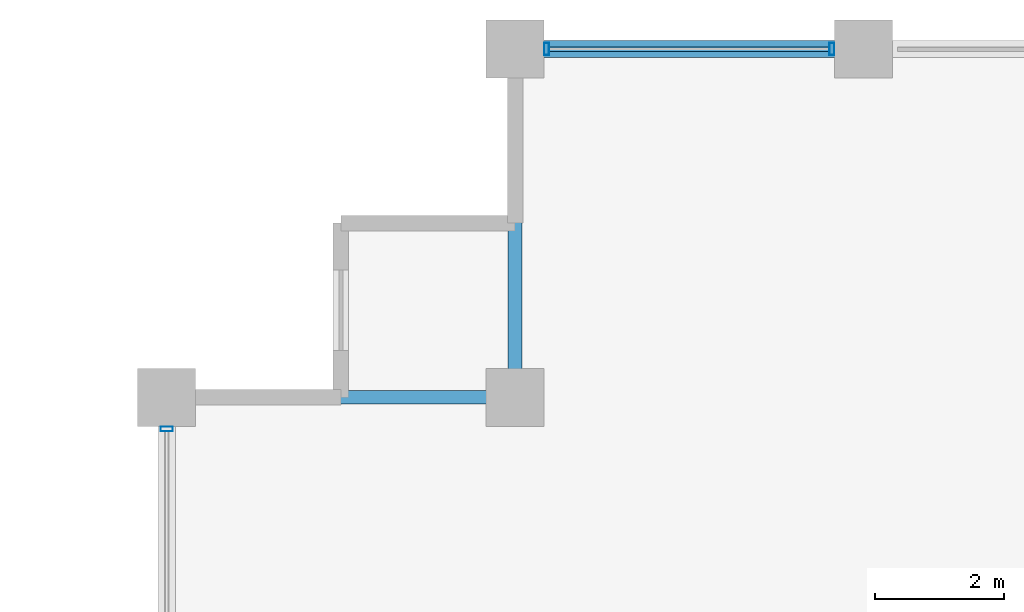
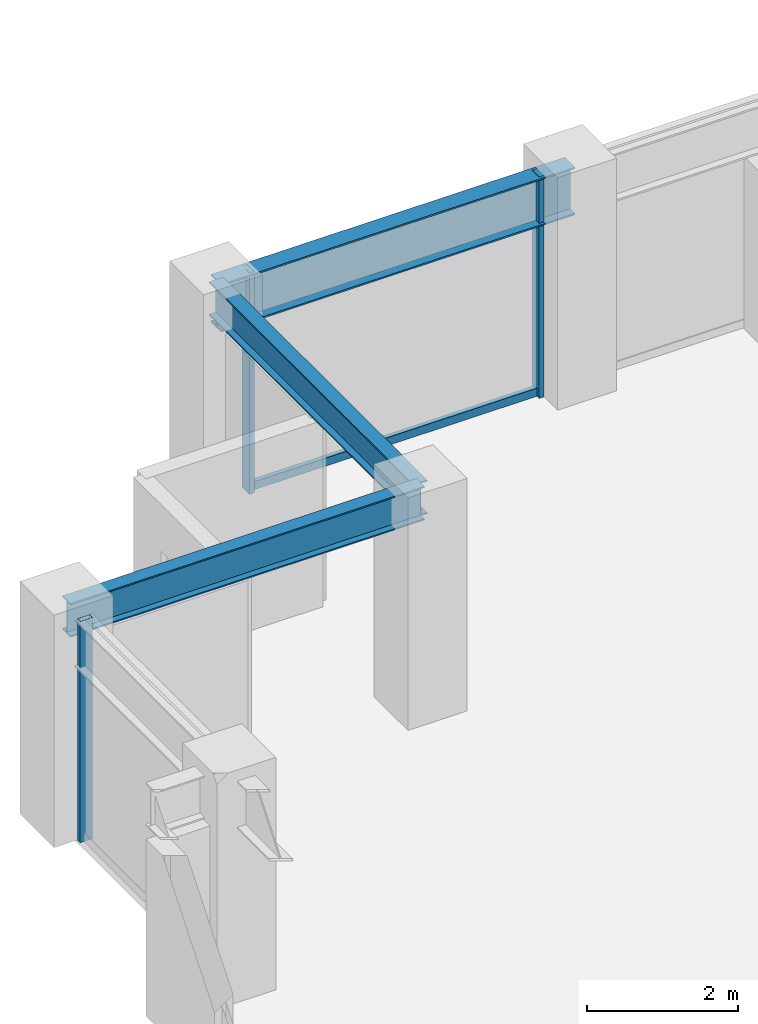
# One storey, part 15 of 28: 4 members, 3 beams, 2 elements without a shape of their own.
"""IFC4 building model written with IfcOpenShell, lengths in metres."""

from ifc_helpers import new_model, si_unit, direction, frame, origin, origin_2d, place, context, subcontext, project, spatial, hollow_rectangle, i_section, extrude, material, layer, layer_set, material_profile, profile_set, type_object, element, aggregate, save


model = new_model("IFC4")

# Units and contexts
model_context = context("Model", 3, precision=1e-05, world=origin(), true_north=direction((0.0, 1.0)))
body_context = subcontext(model_context, "Body", "Model", "MODEL_VIEW")
ifc_project = project(units=[si_unit("LENGTHUNIT", "METRE"), si_unit("AREAUNIT", "SQUARE_METRE"), si_unit("VOLUMEUNIT", "CUBIC_METRE"), si_unit("PLANEANGLEUNIT", "RADIAN"), si_unit("MASSUNIT", "GRAM", prefix="KILO")], contexts=[model_context])

# Site, building, storey
site_placement = place(None, origin())
site = spatial("IfcSite", under=ifc_project, at=site_placement, CompositionType="ELEMENT")
building_placement = place(site_placement, origin())
building = spatial("IfcBuilding", under=site, at=building_placement, Name="Surkhivell Harbour Commons", CompositionType="ELEMENT")
storey_placement = place(building_placement, frame((0.0, 0.0, 182.25)))
storey = spatial("IfcBuildingStorey", under=building, at=storey_placement, Name="L47", CompositionType="ELEMENT", Elevation=182.25)

# Beams
ifc_material_1 = material(Name="Steel S355", Category="steel")
ifc_material_profile_1 = material_profile(ifc_material_1, i_section(OverallWidth=0.2119140625, OverallDepth=0.5439453125, WebThickness=0.0126953125, FlangeThickness=0.021240234375, at=origin_2d()), Name="UB533x210x122")
ifc_profile_set_1 = profile_set([ifc_material_profile_1], Name="Steel S355")
beam_type_1 = type_object("IfcBeamType", Name="BM-GRD-533A", PredefinedType="BEAM", material=ifc_profile_set_1)
for number, where, z_axis, x_axis, name in (
    (1, (-27.0, 20.5, 3.298095703125), (1.0, 0.0, 0.0), (0.0, 1.0, 0.0), "L47 Floor Girder (-27.0,20.5)"),
    (2, (-21.60009765625, 20.5, 3.298095703125), (0.0, 1.0, 0.0), (-1.0, 0.0, 0.0), "L47 Floor Girder (-21.6,20.5)"),
):
    element("IfcBeam", number, at=place(storey_placement, frame(where, z_axis=z_axis, x_axis=x_axis)), inside=storey, type_object=beam_type_1, Name=name, PredefinedType="BEAM", context=body_context, shape_type="SweptSolid", body=[
        extrude(i_section(OverallWidth=0.2119140625, OverallDepth=0.5439453125, WebThickness=0.0126953125, FlangeThickness=0.021240234375, at=origin_2d()), origin(), (0.0, 0.0, 1.0), 5.39990234375),
    ])
ifc_material_profile_2 = material_profile(ifc_material_1, i_section(OverallWidth=0.26806640625, OverallDepth=0.77001953125, WebThickness=0.015625, FlangeThickness=0.025390625, at=origin_2d()), Name="UB762x267x197")
ifc_profile_set_2 = profile_set([ifc_material_profile_2], Name="Steel S355")
beam_type_2 = type_object("IfcBeamType", Name="BM-SPN-762", PredefinedType="SPANDREL", material=ifc_profile_set_2)
beam_placement = place(storey_placement, frame((-21.60009765625, 25.89990234375, 3.18505859375), z_axis=(1.0, 0.0, 0.0), x_axis=(0.0, 1.0, 0.0)))
element("IfcBeam", 3, at=beam_placement, inside=storey, type_object=beam_type_2, Name="L47 Tube Spandrel (-21.6,25.9)", PredefinedType="SPANDREL", context=body_context, shape_type="SweptSolid", body=[
    extrude(i_section(OverallWidth=0.26806640625, OverallDepth=0.77001953125, WebThickness=0.015625, FlangeThickness=0.025390625, at=origin_2d()), origin(), (0.0, 0.0, 1.0), 5.400146484375),
])

# Curtain wall, members
ifc_material_2 = material(Name="Anodised pale-metal aluminium and insulated glazing", Category="aluminium")
ifc_layer = layer(ifc_material_2, 0.18994140625)
ifc_layer_set = layer_set([ifc_layer], Name="Anodised pale-metal aluminium and insulated glazing")
curtain_wall_type = type_object("IfcCurtainWallType", Name="CW-SYS-Z3", PredefinedType="NOTDEFINED", material=ifc_layer_set)
curtain_wall_1_placement = place(storey_placement, origin())
curtain_wall_1 = element("IfcCurtainWall", 4, at=curtain_wall_1_placement, inside=storey, type_object=curtain_wall_type, Name="L47 Curtain Wall CW-L47-E07S2", PredefinedType="NOTDEFINED")
ifc_material_3 = material(Name="Anodised pale-metal aluminium alloy 6063-T6", Category="aluminium")
ifc_material_profile_3 = material_profile(ifc_material_3, hollow_rectangle(XDim=0.074951171875, YDim=0.18994140625, WallThickness=0.00390625, at=origin_2d()), Name="ALU-MULL-75x190")
ifc_profile_set_3 = profile_set([ifc_material_profile_3], Name="Anodised pale-metal aluminium alloy 6063-T6")
member_type_1 = type_object("IfcMemberType", Name="CWM-190", PredefinedType="MULLION", material=ifc_profile_set_3)
member_1_placement = place(storey_placement, frame((-16.689453125, 25.89990234375, 0.0), z_axis=(0.0, 0.0, 1.0), x_axis=(-1.0, 0.0, 0.0)))
member_1 = element("IfcMember", 5, at=member_1_placement, type_object=member_type_1, Name="CW-Z3 mullion 3", PredefinedType="MULLION", context=body_context, shape_type="SweptSolid", body=[
    extrude(hollow_rectangle(XDim=0.074951171875, YDim=0.18994140625, WallThickness=0.00390625, at=origin_2d()), origin(), (0.0, 0.0, 1.0), 3.570068359375),
])
member_2_placement = place(storey_placement, frame((-21.110595703125, 25.89990234375, 0.0), z_axis=(0.0, 0.0, 1.0), x_axis=(-1.0, 0.0, 0.0)))
member_2 = element("IfcMember", 6, at=member_2_placement, type_object=member_type_1, Name="CW-Z3 mullion 4", PredefinedType="MULLION", context=body_context, shape_type="SweptSolid", body=[
    extrude(hollow_rectangle(XDim=0.074951171875, YDim=0.18994140625, WallThickness=0.00390625, at=origin_2d()), origin(), (0.0, 0.0, 1.0), 3.570068359375),
])

# Curtain wall, member
curtain_wall_2_placement = place(storey_placement, origin())
curtain_wall_2 = element("IfcCurtainWall", 7, at=curtain_wall_2_placement, inside=storey, type_object=curtain_wall_type, Name="L47 Curtain Wall CW-L47-E12R2", PredefinedType="NOTDEFINED")
member_3_placement = place(storey_placement, frame((-27.0, 20.010498046875, 0.0), z_axis=(0.0, 0.0, 1.0), x_axis=(0.0, 1.0, 0.0)))
member_3 = element("IfcMember", 8, at=member_3_placement, type_object=member_type_1, Name="CW-Z3 mullion 2", PredefinedType="MULLION", context=body_context, shape_type="SweptSolid", body=[
    extrude(hollow_rectangle(XDim=0.074951171875, YDim=0.18994140625, WallThickness=0.00390625, at=origin_2d()), origin(), (0.0, 0.0, 1.0), 3.570068359375),
])
aggregate(curtain_wall_2, [member_3])

# Member
ifc_material_4 = material(Name="Champagne anodised aluminium alloy 6063-T6", Category="aluminium")
ifc_material_profile_4 = material_profile(ifc_material_4, hollow_rectangle(XDim=0.070068359375, YDim=0.1298828125, WallThickness=0.00341796875, at=origin_2d()), Name="ALU-TRAN-70x130")
ifc_profile_set_4 = profile_set([ifc_material_profile_4], Name="Champagne anodised aluminium alloy 6063-T6")
member_type_2 = type_object("IfcMemberType", Name="CWT-130", PredefinedType="USERDEFINED", material=ifc_profile_set_4)
member_4_placement = place(storey_placement, frame((-16.72705078125, 25.89990234375, 0.06494140625), z_axis=(-1.0, 0.0, 0.0), x_axis=(0.0, -1.0, 0.0)))
member_4 = element("IfcMember", 9, at=member_4_placement, type_object=member_type_2, Name="CW-Z3 transom 3.1", ObjectType="TRANSOM", PredefinedType="USERDEFINED", context=body_context, shape_type="SweptSolid", body=[
    extrude(hollow_rectangle(XDim=0.070068359375, YDim=0.1298828125, WallThickness=0.00341796875, at=origin_2d()), origin(), (0.0, 0.0, 1.0), 4.345947265625),
])

aggregate(curtain_wall_1, [member_1, member_2, member_4])

save(model, "model.ifc")
